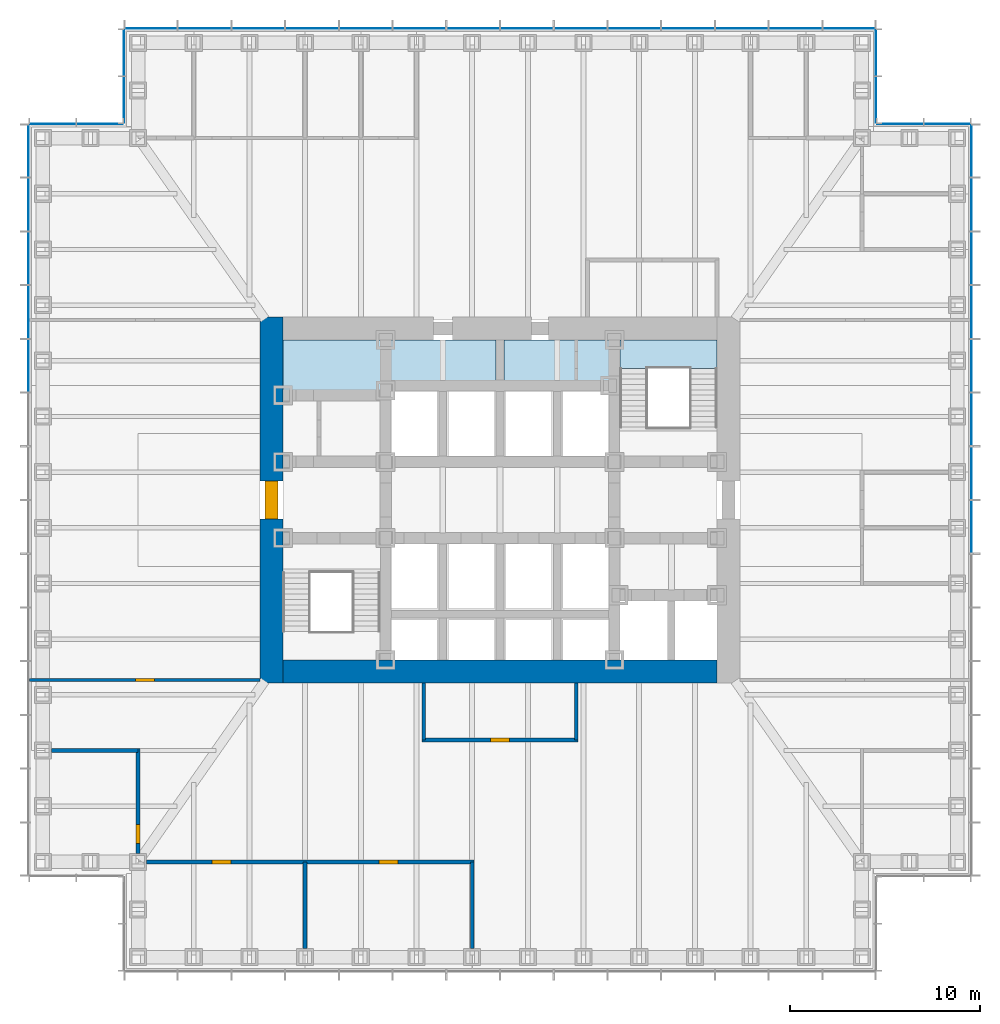
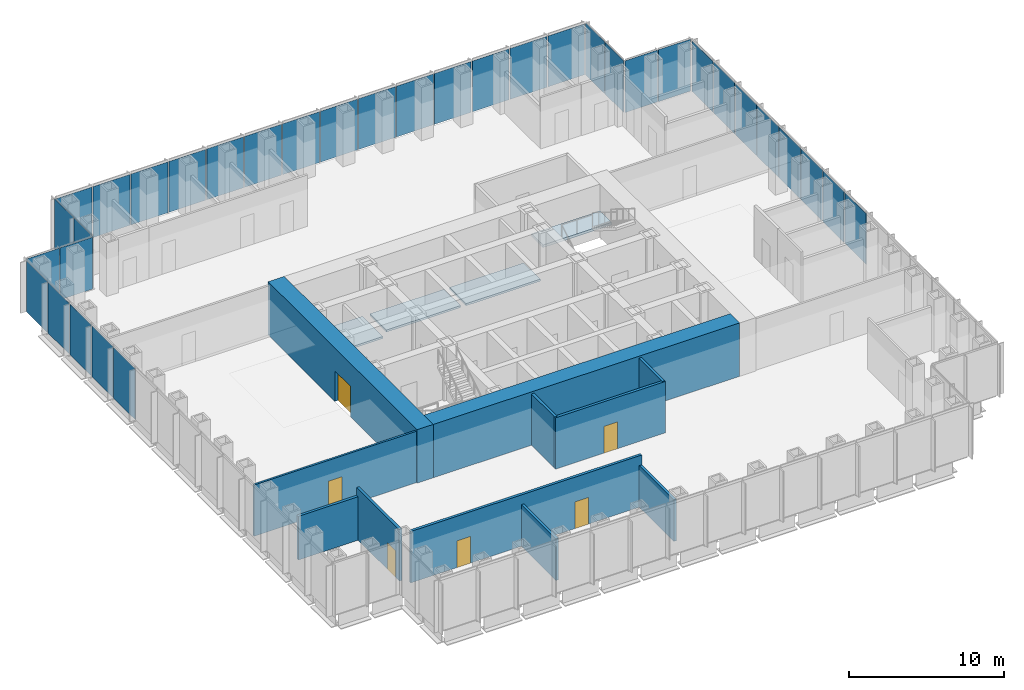
# One storey, part 8 of 17: 35 plates, 11 walls, 6 doors, 4 slabs, 6 openings, 8 elements without a shape of their own.
"""IFC4 building model written with IfcOpenShell, lengths in metres."""

import ifcopenshell
import ifcopenshell.guid

model = None  # the IFC model being written
_history = None  # IfcOwnerHistory: only IFC2X3 demands one
_inside = {}  # id of a spatial element -> (the spatial element, [elements in it])
_under = {}  # id of a project, library or spatial element -> (it, [spatial elements below it])
_declared = {}  # id of a project -> (the project, [libraries it declares])
_typed = {}  # id of a type object -> (the type object, [elements of that type])
_made_of = {}  # id of a material, layer set ... -> (it, [elements and type objects made of it])


def new_model(schema):
    """Start an empty IFC model of exactly this schema.

    Asked for "IFC4X3", IfcOpenShell would pick the latest addendum, in which some entities
    have other attributes; the version numbers below select the first issue.
    IFC2X3 requires an IfcOwnerHistory on every rooted entity: one is made here for all.
    """
    global model, _history
    if schema == "IFC4X3":
        model = ifcopenshell.file(schema_version=(4, 3, 0, 0))
    else:
        model = ifcopenshell.file(schema=schema)
    _inside.clear()
    _under.clear()
    _declared.clear()
    _typed.clear()
    _made_of.clear()
    _history = None
    if model.schema == "IFC2X3":
        org = make("IfcOrganization", Name="unknown")
        user = make(
            "IfcPersonAndOrganization",
            ThePerson=make("IfcPerson", FamilyName="unknown"),
            TheOrganization=org,
        )
        app = make(
            "IfcApplication",
            ApplicationDeveloper=org,
            Version="unknown",
            ApplicationFullName="unknown",
            ApplicationIdentifier="unknown",
        )
        _history = make(
            "IfcOwnerHistory",
            OwningUser=user,
            OwningApplication=app,
            ChangeAction="ADDED",
            CreationDate=0,
        )
    return model


def make(cls, **values):
    """One entity of the class cls with the attributes given. An attribute that is None is left unset."""
    return model.create_entity(
        cls, **{name: value for name, value in values.items() if value is not None}
    )


def rooted(cls, **values):
    """An entity with a GlobalId (a new one), such as an element, a storey or a relation."""
    return make(cls, GlobalId=ifcopenshell.guid.new(), OwnerHistory=_history, **values)


def si_unit(unit_type, name, prefix=None):
    """IfcSIUnit, for example si_unit("LENGTHUNIT", "METRE", prefix="MILLI")."""
    return make("IfcSIUnit", UnitType=unit_type, Prefix=prefix, Name=name)


def assignment(units):
    """IfcUnitAssignment: the units of a project."""
    return None if units is None else make("IfcUnitAssignment", Units=units)


def point(xyz):
    """IfcCartesianPoint."""
    return None if xyz is None else make("IfcCartesianPoint", Coordinates=xyz)


def direction(xyz):
    """IfcDirection."""
    return None if xyz is None else make("IfcDirection", DirectionRatios=xyz)


def frame(location, z_axis=None, x_axis=None):
    """IfcAxis2Placement3D, a coordinate frame: its origin and axes. An axis left out is left unset."""
    return make(
        "IfcAxis2Placement3D",
        Location=point(location),
        Axis=direction(z_axis),
        RefDirection=direction(x_axis),
    )


def frame_2d(location, x_axis=None):
    """IfcAxis2Placement2D, a coordinate frame in the plane: its origin and x axis."""
    return make(
        "IfcAxis2Placement2D", Location=point(location), RefDirection=direction(x_axis)
    )


def origin():
    """The frame at (0, 0, 0) with its axes left unset."""
    return frame((0.0, 0.0, 0.0))


def origin_2d():
    """The frame at (0, 0) in the plane with its x axis left unset."""
    return frame_2d((0.0, 0.0))


def place(relative_to, where):
    """IfcLocalPlacement: puts the frame where relative to a parent placement (None: the world)."""
    return make(
        "IfcLocalPlacement", PlacementRelTo=relative_to, RelativePlacement=where
    )


def context(
    kind, dimensions, precision=None, world=None, true_north=None, identifier=None
):
    """IfcGeometricRepresentationContext, for example the 3D "Model" context."""
    return make(
        "IfcGeometricRepresentationContext",
        ContextIdentifier=identifier,
        ContextType=kind,
        CoordinateSpaceDimension=dimensions,
        Precision=precision,
        WorldCoordinateSystem=world,
        TrueNorth=true_north,
    )


def subcontext(parent, identifier, kind, view, scale=None):
    """IfcGeometricRepresentationSubContext, for example "Body" below "Model"."""
    return make(
        "IfcGeometricRepresentationSubContext",
        ContextIdentifier=identifier,
        ContextType=kind,
        ParentContext=parent,
        TargetScale=scale,
        TargetView=view,
    )


def project(units=None, contexts=None):
    """IfcProject with its units and contexts."""
    return rooted(
        "IfcProject",
        Name="project",
        RepresentationContexts=contexts,
        UnitsInContext=assignment(units),
    )


def spatial(cls, under=None, at=None, **own):
    """A site, building, storey or space (cls), placed at a placement, below another one or the project."""
    s = rooted(cls, ObjectPlacement=at, **own)
    if under is not None:
        _under.setdefault(under.id(), (under, []))[1].append(s)
    return s


def polyline(points):
    """IfcPolyline through the points."""
    return make("IfcPolyline", Points=[point(p) for p in points])


def profile(cls, at=None, kind="AREA", **sizes):
    """A parametric profile (cls). Its sizes go by their IFC names, for example OverallWidth=200.0."""
    return make(cls, ProfileType=kind, Position=at, **sizes)


def rectangle(**sizes):
    """IfcRectangleProfileDef."""
    return profile("IfcRectangleProfileDef", **sizes)


def outline(outer, holes=None, kind="AREA"):
    """IfcArbitraryClosedProfileDef: a profile drawn as a closed curve; with holes, ...WithVoids."""
    if holes is None:
        return make("IfcArbitraryClosedProfileDef", ProfileType=kind, OuterCurve=outer)
    return make(
        "IfcArbitraryProfileDefWithVoids",
        ProfileType=kind,
        OuterCurve=outer,
        InnerCurves=holes,
    )


def extrude(swept, where, along, depth):
    """IfcExtrudedAreaSolid: the profile swept, set in the frame where, extruded along a direction by depth."""
    return make(
        "IfcExtrudedAreaSolid",
        SweptArea=swept,
        Position=where,
        ExtrudedDirection=direction(along),
        Depth=depth,
    )


def shape(context_of_items, identifier, shape_type, items):
    """IfcShapeRepresentation: the items that make up one representation, for example the "Body"."""
    return make(
        "IfcShapeRepresentation",
        ContextOfItems=context_of_items,
        RepresentationIdentifier=identifier,
        RepresentationType=shape_type,
        Items=items,
    )


def material(Name=None, Category=None):
    """IfcMaterial."""
    return make("IfcMaterial", Name=Name, Category=Category)


def layer(
    of_material, thickness, ventilated=None, Name=None, Category=None, Priority=None
):
    """IfcMaterialLayer: one layer of a wall or slab, of a material (None: an air gap)."""
    return make(
        "IfcMaterialLayer",
        Material=of_material,
        LayerThickness=thickness,
        IsVentilated=ventilated,
        Name=Name,
        Category=Category,
        Priority=Priority,
    )


def layer_set(layers, Name=None):
    """IfcMaterialLayerSet."""
    return make("IfcMaterialLayerSet", MaterialLayers=layers, LayerSetName=Name)


def made_of(thing, what):
    """Note that an element or type object is made of a material, layer set ...; save() writes the relation."""
    if what is not None:
        _made_of.setdefault(what.id(), (what, []))[1].append(thing)
    return thing


def type_object(cls, material=None, **own):
    """A type object (cls), such as IfcWallType, which elements share."""
    return made_of(rooted(cls, **own), material)


def element(
    cls,
    number,
    at=None,
    inside=None,
    cuts=None,
    type_object=None,
    material=None,
    context=None,
    identifier="Body",
    shape_type=None,
    held_by="IfcProductDefinitionShape",
    body=None,
    shapes=None,
    **own,
):
    """One element of the class cls, such as IfcWall. Its Tag is "e" and its number.

    at: its placement. inside: the storey or other place that contains it. cuts: it is an
    opening in that element (IfcRelVoidsElement). A single representation is given by context,
    identifier, shape_type and body (its items); several are given by shapes. held_by: the class
    of the entity that holds the representations. save() writes the other relations.
    """
    e = rooted(cls, Tag="e%d" % number, ObjectPlacement=at, **own)
    if body is not None:
        shapes = [shape(context, identifier, shape_type, body)]
    if shapes is not None:
        e.Representation = make(held_by, Representations=shapes)
    if inside is not None:
        _inside.setdefault(inside.id(), (inside, []))[1].append(e)
    if cuts is not None:
        rooted(
            "IfcRelVoidsElement", RelatingBuildingElement=cuts, RelatedOpeningElement=e
        )
    if type_object is not None:
        _typed.setdefault(type_object.id(), (type_object, []))[1].append(e)
    return made_of(e, material)


def fill(opening, filler):
    """IfcRelFillsElement: the door or window that sits in an opening."""
    return rooted(
        "IfcRelFillsElement",
        RelatingOpeningElement=opening,
        RelatedBuildingElement=filler,
    )


def aggregate(whole, parts):
    """IfcRelAggregates: a whole, such as a stair, and the parts it consists of."""
    return rooted("IfcRelAggregates", RelatingObject=whole, RelatedObjects=parts)


def save(model, path):
    """Write the relations noted so far, then the file.

    IfcRelAggregates (storeys below a building ...), IfcRelContainedInSpatialStructure (elements
    in a storey), IfcRelDefinesByType, IfcRelAssociatesMaterial and IfcRelDeclares: one each for
    every whole, place, type object, material and project.
    """
    for whole, parts in _under.values():
        aggregate(whole, parts)
    for where, things in _inside.values():
        rooted(
            "IfcRelContainedInSpatialStructure",
            RelatedElements=things,
            RelatingStructure=where,
        )
    for kind, things in _typed.values():
        rooted("IfcRelDefinesByType", RelatedObjects=things, RelatingType=kind)
    for what, things in _made_of.values():
        rooted("IfcRelAssociatesMaterial", RelatedObjects=things, RelatingMaterial=what)
    for by, libraries in _declared.values():
        rooted("IfcRelDeclares", RelatingContext=by, RelatedDefinitions=libraries)
    model.write(path)


model = new_model("IFC4")

# Units and contexts
model_context = context("Model", 3, precision=1e-05, world=origin(), true_north=direction((0.0, 1.0)))
body_context = subcontext(model_context, "Body", "Model", "MODEL_VIEW")
ifc_project = project(units=[si_unit("LENGTHUNIT", "METRE"), si_unit("AREAUNIT", "SQUARE_METRE"), si_unit("VOLUMEUNIT", "CUBIC_METRE"), si_unit("PLANEANGLEUNIT", "RADIAN"), si_unit("MASSUNIT", "GRAM", prefix="KILO")], contexts=[model_context])

# Site, building, storey
site_placement = place(None, origin())
site = spatial("IfcSite", under=ifc_project, at=site_placement, CompositionType="ELEMENT")
building_placement = place(site_placement, origin())
building = spatial("IfcBuilding", under=site, at=building_placement, Name="Daluyong Arena Tower", CompositionType="ELEMENT")
storey_placement = place(building_placement, frame((0.0, 0.0, 60.10009765625)))
storey = spatial("IfcBuildingStorey", under=building, at=storey_placement, Name="L12", CompositionType="ELEMENT", Elevation=60.10009765625)

# Curtain wall, plates
ifc_material_1 = material(Name="Bronze anodised aluminium and glass", Category="aluminium")
curtain_wall_type_1 = type_object("IfcCurtainWallType", Name="Curtain wall CW1", PredefinedType="USERDEFINED", material=ifc_material_1)
curtain_wall_1_placement = place(storey_placement, origin())
curtain_wall_1 = element("IfcCurtainWall", 1, at=curtain_wall_1_placement, inside=storey, type_object=curtain_wall_type_1, Name="curtain wall L12 E", ObjectType="UNITISED CURTAIN WALL", PredefinedType="USERDEFINED")
ifc_material_2 = material(Name="Tinted double glazed unit", Category="glass")
ifc_layer_1 = layer(ifc_material_2, 0.031982421875)
ifc_layer_set_1 = layer_set([ifc_layer_1], Name="Tinted double glazed unit")
plate_type_1 = type_object("IfcPlateType", Name="CW1 panel 32", PredefinedType="CURTAIN_PANEL", material=ifc_layer_set_1)
plate_1_placement = place(storey_placement, frame((80.75, 78.58935546875, 0.0), z_axis=(0.0, 0.0, 1.0), x_axis=(0.0, 1.0, 0.0)))
plate_1 = element("IfcPlate", 2, at=plate_1_placement, type_object=plate_type_1, Name="curtain wall L12 E panel 7", PredefinedType="CURTAIN_PANEL", context=body_context, shape_type="SweptSolid", body=[
    extrude(rectangle(XDim=2.741455078125, YDim=0.031982421875, at=origin_2d()), origin(), (0.0, 0.0, 1.0), 4.0),
])
plate_2_placement = place(storey_placement, frame((80.75, 81.41064453125, 0.0), z_axis=(0.0, 0.0, 1.0), x_axis=(0.0, 1.0, 0.0)))
plate_2 = element("IfcPlate", 3, at=plate_2_placement, type_object=plate_type_1, Name="curtain wall L12 E panel 8", PredefinedType="CURTAIN_PANEL", context=body_context, shape_type="SweptSolid", body=[
    extrude(rectangle(XDim=2.741455078125, YDim=0.031982421875, at=origin_2d()), origin(), (0.0, 0.0, 1.0), 4.0),
])
plate_3_placement = place(storey_placement, frame((80.75, 84.232177734375, 0.0), z_axis=(0.0, 0.0, 1.0), x_axis=(0.0, 1.0, 0.0)))
plate_3 = element("IfcPlate", 4, at=plate_3_placement, type_object=plate_type_1, Name="curtain wall L12 E panel 9", PredefinedType="CURTAIN_PANEL", context=body_context, shape_type="SweptSolid", body=[
    extrude(rectangle(XDim=2.741455078125, YDim=0.031982421875, at=origin_2d()), origin(), (0.0, 0.0, 1.0), 4.0),
])
plate_4_placement = place(storey_placement, frame((80.75, 87.053466796875, 0.0), z_axis=(0.0, 0.0, 1.0), x_axis=(0.0, 1.0, 0.0)))
plate_4 = element("IfcPlate", 5, at=plate_4_placement, type_object=plate_type_1, Name="curtain wall L12 E panel 10", PredefinedType="CURTAIN_PANEL", context=body_context, shape_type="SweptSolid", body=[
    extrude(rectangle(XDim=2.741455078125, YDim=0.031982421875, at=origin_2d()), origin(), (0.0, 0.0, 1.0), 4.0),
])
plate_5_placement = place(storey_placement, frame((80.75, 89.875, 0.0), z_axis=(0.0, 0.0, 1.0), x_axis=(0.0, 1.0, 0.0)))
plate_5 = element("IfcPlate", 6, at=plate_5_placement, type_object=plate_type_1, Name="curtain wall L12 E panel 11", PredefinedType="CURTAIN_PANEL", context=body_context, shape_type="SweptSolid", body=[
    extrude(rectangle(XDim=2.741455078125, YDim=0.031982421875, at=origin_2d()), origin(), (0.0, 0.0, 1.0), 4.0),
])
plate_6_placement = place(storey_placement, frame((80.75, 92.696533203125, 0.0), z_axis=(0.0, 0.0, 1.0), x_axis=(0.0, 1.0, 0.0)))
plate_6 = element("IfcPlate", 7, at=plate_6_placement, type_object=plate_type_1, Name="curtain wall L12 E panel 12", PredefinedType="CURTAIN_PANEL", context=body_context, shape_type="SweptSolid", body=[
    extrude(rectangle(XDim=2.741455078125, YDim=0.031982421875, at=origin_2d()), origin(), (0.0, 0.0, 1.0), 4.0),
])
plate_7_placement = place(storey_placement, frame((80.75, 95.517822265625, 0.0), z_axis=(0.0, 0.0, 1.0), x_axis=(0.0, 1.0, 0.0)))
plate_7 = element("IfcPlate", 8, at=plate_7_placement, type_object=plate_type_1, Name="curtain wall L12 E panel 13", PredefinedType="CURTAIN_PANEL", context=body_context, shape_type="SweptSolid", body=[
    extrude(rectangle(XDim=2.741455078125, YDim=0.031982421875, at=origin_2d()), origin(), (0.0, 0.0, 1.0), 4.0),
])
plate_8_placement = place(storey_placement, frame((80.75, 98.3193359375, 0.0), z_axis=(0.0, 0.0, 1.0), x_axis=(0.0, 1.0, 0.0)))
plate_8 = element("IfcPlate", 9, at=plate_8_placement, type_object=plate_type_1, Name="curtain wall L12 E panel 14", PredefinedType="CURTAIN_PANEL", context=body_context, shape_type="SweptSolid", body=[
    extrude(rectangle(XDim=2.701416015625, YDim=0.031982421875, at=origin_2d()), origin(), (0.0, 0.0, 1.0), 4.0),
])
aggregate(curtain_wall_1, [plate_1, plate_2, plate_3, plate_4, plate_5, plate_6, plate_7, plate_8])

curtain_wall_2_placement = place(storey_placement, origin())
curtain_wall_2 = element("IfcCurtainWall", 10, at=curtain_wall_2_placement, inside=storey, type_object=curtain_wall_type_1, Name="curtain wall L12 N", ObjectType="UNITISED CURTAIN WALL", PredefinedType="USERDEFINED")
plate_9_placement = place(storey_placement, frame((74.3193359375, 104.75, 0.0), z_axis=(0.0, 0.0, 1.0), x_axis=(-1.0, 0.0, 0.0)))
plate_9 = element("IfcPlate", 11, at=plate_9_placement, type_object=plate_type_1, Name="curtain wall L12 N panel 1", PredefinedType="CURTAIN_PANEL", context=body_context, shape_type="SweptSolid", body=[
    extrude(rectangle(XDim=2.701416015625, YDim=0.031982421875, at=origin_2d()), origin(), (0.0, 0.0, 1.0), 4.0),
])
plate_10_placement = place(storey_placement, frame((71.517822265625, 104.75, 0.0), z_axis=(0.0, 0.0, 1.0), x_axis=(-1.0, 0.0, 0.0)))
plate_10 = element("IfcPlate", 12, at=plate_10_placement, type_object=plate_type_1, Name="curtain wall L12 N panel 2", PredefinedType="CURTAIN_PANEL", context=body_context, shape_type="SweptSolid", body=[
    extrude(rectangle(XDim=2.741455078125, YDim=0.031982421875, at=origin_2d()), origin(), (0.0, 0.0, 1.0), 4.0),
])
plate_11_placement = place(storey_placement, frame((68.696533203125, 104.75, 0.0), z_axis=(0.0, 0.0, 1.0), x_axis=(-1.0, 0.0, 0.0)))
plate_11 = element("IfcPlate", 13, at=plate_11_placement, type_object=plate_type_1, Name="curtain wall L12 N panel 3", PredefinedType="CURTAIN_PANEL", context=body_context, shape_type="SweptSolid", body=[
    extrude(rectangle(XDim=2.741455078125, YDim=0.031982421875, at=origin_2d()), origin(), (0.0, 0.0, 1.0), 4.0),
])
plate_12_placement = place(storey_placement, frame((65.875, 104.75, 0.0), z_axis=(0.0, 0.0, 1.0), x_axis=(-1.0, 0.0, 0.0)))
plate_12 = element("IfcPlate", 14, at=plate_12_placement, type_object=plate_type_1, Name="curtain wall L12 N panel 4", PredefinedType="CURTAIN_PANEL", context=body_context, shape_type="SweptSolid", body=[
    extrude(rectangle(XDim=2.741455078125, YDim=0.031982421875, at=origin_2d()), origin(), (0.0, 0.0, 1.0), 4.0),
])
plate_13_placement = place(storey_placement, frame((63.053466796875, 104.75, 0.0), z_axis=(0.0, 0.0, 1.0), x_axis=(-1.0, 0.0, 0.0)))
plate_13 = element("IfcPlate", 15, at=plate_13_placement, type_object=plate_type_1, Name="curtain wall L12 N panel 5", PredefinedType="CURTAIN_PANEL", context=body_context, shape_type="SweptSolid", body=[
    extrude(rectangle(XDim=2.741455078125, YDim=0.031982421875, at=origin_2d()), origin(), (0.0, 0.0, 1.0), 4.0),
])
plate_14_placement = place(storey_placement, frame((60.232177734375, 104.75, 0.0), z_axis=(0.0, 0.0, 1.0), x_axis=(-1.0, 0.0, 0.0)))
plate_14 = element("IfcPlate", 16, at=plate_14_placement, type_object=plate_type_1, Name="curtain wall L12 N panel 6", PredefinedType="CURTAIN_PANEL", context=body_context, shape_type="SweptSolid", body=[
    extrude(rectangle(XDim=2.741455078125, YDim=0.031982421875, at=origin_2d()), origin(), (0.0, 0.0, 1.0), 4.0),
])
plate_15_placement = place(storey_placement, frame((57.41064453125, 104.75, 0.0), z_axis=(0.0, 0.0, 1.0), x_axis=(-1.0, 0.0, 0.0)))
plate_15 = element("IfcPlate", 17, at=plate_15_placement, type_object=plate_type_1, Name="curtain wall L12 N panel 7", PredefinedType="CURTAIN_PANEL", context=body_context, shape_type="SweptSolid", body=[
    extrude(rectangle(XDim=2.741455078125, YDim=0.031982421875, at=origin_2d()), origin(), (0.0, 0.0, 1.0), 4.0),
])
plate_16_placement = place(storey_placement, frame((54.58935546875, 104.75, 0.0), z_axis=(0.0, 0.0, 1.0), x_axis=(-1.0, 0.0, 0.0)))
plate_16 = element("IfcPlate", 18, at=plate_16_placement, type_object=plate_type_1, Name="curtain wall L12 N panel 8", PredefinedType="CURTAIN_PANEL", context=body_context, shape_type="SweptSolid", body=[
    extrude(rectangle(XDim=2.741455078125, YDim=0.031982421875, at=origin_2d()), origin(), (0.0, 0.0, 1.0), 4.0),
])
plate_17_placement = place(storey_placement, frame((51.767822265625, 104.75, 0.0), z_axis=(0.0, 0.0, 1.0), x_axis=(-1.0, 0.0, 0.0)))
plate_17 = element("IfcPlate", 19, at=plate_17_placement, type_object=plate_type_1, Name="curtain wall L12 N panel 9", PredefinedType="CURTAIN_PANEL", context=body_context, shape_type="SweptSolid", body=[
    extrude(rectangle(XDim=2.741455078125, YDim=0.031982421875, at=origin_2d()), origin(), (0.0, 0.0, 1.0), 4.0),
])
plate_18_placement = place(storey_placement, frame((48.946533203125, 104.75, 0.0), z_axis=(0.0, 0.0, 1.0), x_axis=(-1.0, 0.0, 0.0)))
plate_18 = element("IfcPlate", 20, at=plate_18_placement, type_object=plate_type_1, Name="curtain wall L12 N panel 10", PredefinedType="CURTAIN_PANEL", context=body_context, shape_type="SweptSolid", body=[
    extrude(rectangle(XDim=2.741455078125, YDim=0.031982421875, at=origin_2d()), origin(), (0.0, 0.0, 1.0), 4.0),
])
plate_19_placement = place(storey_placement, frame((46.125, 104.75, 0.0), z_axis=(0.0, 0.0, 1.0), x_axis=(-1.0, 0.0, 0.0)))
plate_19 = element("IfcPlate", 21, at=plate_19_placement, type_object=plate_type_1, Name="curtain wall L12 N panel 11", PredefinedType="CURTAIN_PANEL", context=body_context, shape_type="SweptSolid", body=[
    extrude(rectangle(XDim=2.741455078125, YDim=0.031982421875, at=origin_2d()), origin(), (0.0, 0.0, 1.0), 4.0),
])
plate_20_placement = place(storey_placement, frame((43.303466796875, 104.75, 0.0), z_axis=(0.0, 0.0, 1.0), x_axis=(-1.0, 0.0, 0.0)))
plate_20 = element("IfcPlate", 22, at=plate_20_placement, type_object=plate_type_1, Name="curtain wall L12 N panel 12", PredefinedType="CURTAIN_PANEL", context=body_context, shape_type="SweptSolid", body=[
    extrude(rectangle(XDim=2.741455078125, YDim=0.031982421875, at=origin_2d()), origin(), (0.0, 0.0, 1.0), 4.0),
])
plate_21_placement = place(storey_placement, frame((40.482177734375, 104.75, 0.0), z_axis=(0.0, 0.0, 1.0), x_axis=(-1.0, 0.0, 0.0)))
plate_21 = element("IfcPlate", 23, at=plate_21_placement, type_object=plate_type_1, Name="curtain wall L12 N panel 13", PredefinedType="CURTAIN_PANEL", context=body_context, shape_type="SweptSolid", body=[
    extrude(rectangle(XDim=2.741455078125, YDim=0.031982421875, at=origin_2d()), origin(), (0.0, 0.0, 1.0), 4.0),
])
plate_22_placement = place(storey_placement, frame((37.6806640625, 104.75, 0.0), z_axis=(0.0, 0.0, 1.0), x_axis=(-1.0, 0.0, 0.0)))
plate_22 = element("IfcPlate", 24, at=plate_22_placement, type_object=plate_type_1, Name="curtain wall L12 N panel 14", PredefinedType="CURTAIN_PANEL", context=body_context, shape_type="SweptSolid", body=[
    extrude(rectangle(XDim=2.701416015625, YDim=0.031982421875, at=origin_2d()), origin(), (0.0, 0.0, 1.0), 4.0),
])
aggregate(curtain_wall_2, [plate_9, plate_10, plate_11, plate_12, plate_13, plate_14, plate_15, plate_16, plate_17, plate_18, plate_19, plate_20, plate_21, plate_22])

curtain_wall_3_placement = place(storey_placement, origin())
curtain_wall_3 = element("IfcCurtainWall", 25, at=curtain_wall_3_placement, inside=storey, type_object=curtain_wall_type_1, Name="curtain wall L12 W", ObjectType="UNITISED CURTAIN WALL", PredefinedType="USERDEFINED")
plate_23_placement = place(storey_placement, frame((31.25, 98.3193359375, 0.0), z_axis=(0.0, 0.0, 1.0), x_axis=(0.0, -1.0, 0.0)))
plate_23 = element("IfcPlate", 26, at=plate_23_placement, type_object=plate_type_1, Name="curtain wall L12 W panel 1", PredefinedType="CURTAIN_PANEL", context=body_context, shape_type="SweptSolid", body=[
    extrude(rectangle(XDim=2.701416015625, YDim=0.031982421875, at=origin_2d()), origin(), (0.0, 0.0, 1.0), 4.0),
])
plate_24_placement = place(storey_placement, frame((31.25, 95.517822265625, 0.0), z_axis=(0.0, 0.0, 1.0), x_axis=(0.0, -1.0, 0.0)))
plate_24 = element("IfcPlate", 27, at=plate_24_placement, type_object=plate_type_1, Name="curtain wall L12 W panel 2", PredefinedType="CURTAIN_PANEL", context=body_context, shape_type="SweptSolid", body=[
    extrude(rectangle(XDim=2.741455078125, YDim=0.031982421875, at=origin_2d()), origin(), (0.0, 0.0, 1.0), 4.0),
])
plate_25_placement = place(storey_placement, frame((31.25, 92.696533203125, 0.0), z_axis=(0.0, 0.0, 1.0), x_axis=(0.0, -1.0, 0.0)))
plate_25 = element("IfcPlate", 28, at=plate_25_placement, type_object=plate_type_1, Name="curtain wall L12 W panel 3", PredefinedType="CURTAIN_PANEL", context=body_context, shape_type="SweptSolid", body=[
    extrude(rectangle(XDim=2.741455078125, YDim=0.031982421875, at=origin_2d()), origin(), (0.0, 0.0, 1.0), 4.0),
])
plate_26_placement = place(storey_placement, frame((31.25, 89.875, 0.0), z_axis=(0.0, 0.0, 1.0), x_axis=(0.0, -1.0, 0.0)))
plate_26 = element("IfcPlate", 29, at=plate_26_placement, type_object=plate_type_1, Name="curtain wall L12 W panel 4", PredefinedType="CURTAIN_PANEL", context=body_context, shape_type="SweptSolid", body=[
    extrude(rectangle(XDim=2.741455078125, YDim=0.031982421875, at=origin_2d()), origin(), (0.0, 0.0, 1.0), 4.0),
])
plate_27_placement = place(storey_placement, frame((31.25, 87.053466796875, 0.0), z_axis=(0.0, 0.0, 1.0), x_axis=(0.0, -1.0, 0.0)))
plate_27 = element("IfcPlate", 30, at=plate_27_placement, type_object=plate_type_1, Name="curtain wall L12 W panel 5", PredefinedType="CURTAIN_PANEL", context=body_context, shape_type="SweptSolid", body=[
    extrude(rectangle(XDim=2.741455078125, YDim=0.031982421875, at=origin_2d()), origin(), (0.0, 0.0, 1.0), 4.0),
])
aggregate(curtain_wall_3, [plate_23, plate_24, plate_25, plate_26, plate_27])

ifc_material_3 = material(Name="Bronze anodised aluminium and glass", Category="aluminium")
curtain_wall_type_2 = type_object("IfcCurtainWallType", Name="Curtain wall CW7", PredefinedType="USERDEFINED", material=ifc_material_3)
curtain_wall_4_placement = place(storey_placement, origin())
curtain_wall_4 = element("IfcCurtainWall", 31, at=curtain_wall_4_placement, inside=storey, type_object=curtain_wall_type_2, Name="curtain wall L12 NE-N", ObjectType="UNITISED CURTAIN WALL", PredefinedType="USERDEFINED")
ifc_material_4 = material(Name="Tinted double glazed unit", Category="glass")
ifc_layer_2 = layer(ifc_material_4, 0.028076171875)
ifc_layer_set_2 = layer_set([ifc_layer_2], Name="Tinted double glazed unit")
plate_type_2 = type_object("IfcPlateType", Name="CW7 panel 28", PredefinedType="CURTAIN_PANEL", material=ifc_layer_set_2)
plate_28_placement = place(storey_placement, frame((79.485107421875, 99.75, -0.000244140625), z_axis=(0.0, 0.0, 1.0), x_axis=(-1.0, 0.0, 0.0)))
plate_28 = element("IfcPlate", 32, at=plate_28_placement, type_object=plate_type_2, Name="curtain wall L12 NE-N panel 1", PredefinedType="CURTAIN_PANEL", context=body_context, shape_type="SweptSolid", body=[
    extrude(rectangle(XDim=2.409912109375, YDim=0.028076171875, at=origin_2d()), origin(), (0.0, 0.0, 1.0), 4.080078125),
])
plate_29_placement = place(storey_placement, frame((77.014892578125, 99.75, -0.000244140625), z_axis=(0.0, 0.0, 1.0), x_axis=(-1.0, 0.0, 0.0)))
plate_29 = element("IfcPlate", 33, at=plate_29_placement, type_object=plate_type_2, Name="curtain wall L12 NE-N panel 2", PredefinedType="CURTAIN_PANEL", context=body_context, shape_type="SweptSolid", body=[
    extrude(rectangle(XDim=2.409912109375, YDim=0.028076171875, at=origin_2d()), origin(), (0.0, 0.0, 1.0), 4.080078125),
])
aggregate(curtain_wall_4, [plate_28, plate_29])

curtain_wall_5_placement = place(storey_placement, origin())
curtain_wall_5 = element("IfcCurtainWall", 34, at=curtain_wall_5_placement, inside=storey, type_object=curtain_wall_type_2, Name="curtain wall L12 NE-E", ObjectType="UNITISED CURTAIN WALL", PredefinedType="USERDEFINED")
plate_30_placement = place(storey_placement, frame((75.75, 101.014892578125, -0.000244140625), z_axis=(0.0, 0.0, 1.0), x_axis=(0.0, 1.0, 0.0)))
plate_30 = element("IfcPlate", 35, at=plate_30_placement, type_object=plate_type_2, Name="curtain wall L12 NE-E panel 1", PredefinedType="CURTAIN_PANEL", context=body_context, shape_type="SweptSolid", body=[
    extrude(rectangle(XDim=2.409912109375, YDim=0.028076171875, at=origin_2d()), origin(), (0.0, 0.0, 1.0), 4.080078125),
])
plate_31_placement = place(storey_placement, frame((75.75, 103.485107421875, -0.000244140625), z_axis=(0.0, 0.0, 1.0), x_axis=(0.0, 1.0, 0.0)))
plate_31 = element("IfcPlate", 36, at=plate_31_placement, type_object=plate_type_2, Name="curtain wall L12 NE-E panel 2", PredefinedType="CURTAIN_PANEL", context=body_context, shape_type="SweptSolid", body=[
    extrude(rectangle(XDim=2.409912109375, YDim=0.028076171875, at=origin_2d()), origin(), (0.0, 0.0, 1.0), 4.080078125),
])
aggregate(curtain_wall_5, [plate_30, plate_31])

curtain_wall_6_placement = place(storey_placement, origin())
curtain_wall_6 = element("IfcCurtainWall", 37, at=curtain_wall_6_placement, inside=storey, type_object=curtain_wall_type_2, Name="curtain wall L12 NW-W", ObjectType="UNITISED CURTAIN WALL", PredefinedType="USERDEFINED")
plate_32_placement = place(storey_placement, frame((36.25, 103.485107421875, -0.000244140625), z_axis=(0.0, 0.0, 1.0), x_axis=(0.0, -1.0, 0.0)))
plate_32 = element("IfcPlate", 38, at=plate_32_placement, type_object=plate_type_2, Name="curtain wall L12 NW-W panel 1", PredefinedType="CURTAIN_PANEL", context=body_context, shape_type="SweptSolid", body=[
    extrude(rectangle(XDim=2.409912109375, YDim=0.028076171875, at=origin_2d()), origin(), (0.0, 0.0, 1.0), 4.080078125),
])
plate_33_placement = place(storey_placement, frame((36.25, 101.014892578125, -0.000244140625), z_axis=(0.0, 0.0, 1.0), x_axis=(0.0, -1.0, 0.0)))
plate_33 = element("IfcPlate", 39, at=plate_33_placement, type_object=plate_type_2, Name="curtain wall L12 NW-W panel 2", PredefinedType="CURTAIN_PANEL", context=body_context, shape_type="SweptSolid", body=[
    extrude(rectangle(XDim=2.409912109375, YDim=0.028076171875, at=origin_2d()), origin(), (0.0, 0.0, 1.0), 4.080078125),
])
aggregate(curtain_wall_6, [plate_32, plate_33])

curtain_wall_7_placement = place(storey_placement, origin())
curtain_wall_7 = element("IfcCurtainWall", 40, at=curtain_wall_7_placement, inside=storey, type_object=curtain_wall_type_2, Name="curtain wall L12 NW-N", ObjectType="UNITISED CURTAIN WALL", PredefinedType="USERDEFINED")
plate_34_placement = place(storey_placement, frame((34.985107421875, 99.75, -0.000244140625), z_axis=(0.0, 0.0, 1.0), x_axis=(-1.0, 0.0, 0.0)))
plate_34 = element("IfcPlate", 41, at=plate_34_placement, type_object=plate_type_2, Name="curtain wall L12 NW-N panel 1", PredefinedType="CURTAIN_PANEL", context=body_context, shape_type="SweptSolid", body=[
    extrude(rectangle(XDim=2.409912109375, YDim=0.028076171875, at=origin_2d()), origin(), (0.0, 0.0, 1.0), 4.080078125),
])
plate_35_placement = place(storey_placement, frame((32.514892578125, 99.75, -0.000244140625), z_axis=(0.0, 0.0, 1.0), x_axis=(-1.0, 0.0, 0.0)))
plate_35 = element("IfcPlate", 42, at=plate_35_placement, type_object=plate_type_2, Name="curtain wall L12 NW-N panel 2", PredefinedType="CURTAIN_PANEL", context=body_context, shape_type="SweptSolid", body=[
    extrude(rectangle(XDim=2.409912109375, YDim=0.028076171875, at=origin_2d()), origin(), (0.0, 0.0, 1.0), 4.080078125),
])
aggregate(curtain_wall_7, [plate_34, plate_35])

# Stair, slab
ifc_material_5 = material(Name="Concrete fc' 35 MPa", Category="concrete")
stair_type = type_object("IfcStairType", Name="Core exit stair", PredefinedType="HALF_TURN_STAIR", material=ifc_material_5)
stair_placement = place(storey_placement, origin())
stair = element("IfcStair", 43, at=stair_placement, inside=storey, type_object=stair_type, Name="exit stair B L12", PredefinedType="HALF_TURN_STAIR")
ifc_material_6 = material(Name="Concrete fc' 35 MPa", Category="concrete")
ifc_layer_3 = layer(ifc_material_6, 0.199951171875)
ifc_layer_set_3 = layer_set([ifc_layer_3], Name="Concrete fc' 35 MPa")
slab_type_1 = type_object("IfcSlabType", Name="Stair landing 200", PredefinedType="LANDING", material=ifc_layer_set_3)
slab_1_placement = place(storey_placement, frame((0.0, 0.0, 1.89990234375)))
slab_1 = element("IfcSlab", 44, at=slab_1_placement, type_object=slab_type_1, Name="STB landing 1", PredefinedType="LANDING", context=body_context, shape_type="SweptSolid", body=[
    extrude(outline(polyline([(62.300048828125, 86.905029296875), (67.39990234375, 86.905029296875), (67.39990234375, 88.39990234375), (62.300048828125, 88.39990234375), (62.300048828125, 86.905029296875)])), origin(), (0.0, 0.0, 1.0), 0.199951171875),
])
aggregate(stair, [slab_1])

# Slabs
ifc_material_7 = material(Name="Concrete fc' 35 MPa", Category="concrete")
ifc_layer_4 = layer(ifc_material_7, 0.159912109375)
ifc_layer_set_4 = layer_set([ifc_layer_4], Name="Concrete fc' 35 MPa")
slab_type_2 = type_object("IfcSlabType", Name="Tower floor slab 160", PredefinedType="FLOOR", material=ifc_layer_set_4)
slab_2_placement = place(storey_placement, frame((0.0, 0.0, -0.16015625)))
element("IfcSlab", 45, at=slab_2_placement, inside=storey, type_object=slab_type_2, Name="floor L12 part 4", PredefinedType="FLOOR", context=body_context, shape_type="SweptSolid", body=[
    extrude(outline(polyline([(44.60009765625, 88.39990234375), (44.60009765625, 85.77490234375), (49.72509765625, 85.77490234375), (49.72509765625, 88.39990234375), (44.60009765625, 88.39990234375)])), origin(), (0.0, 0.0, 1.0), 0.16015625),
])
slab_3_placement = place(storey_placement, frame((0.0, 0.0, -0.16015625)))
element("IfcSlab", 46, at=slab_3_placement, inside=storey, type_object=slab_type_2, Name="floor L12 part 8", PredefinedType="FLOOR", context=body_context, shape_type="SweptSolid", body=[
    extrude(outline(polyline([(50.27490234375, 88.39990234375), (50.27490234375, 86.27490234375), (55.800048828125, 86.27490234375), (55.800048828125, 88.39990234375), (50.27490234375, 88.39990234375)])), origin(), (0.0, 0.0, 1.0), 0.16015625),
])
slab_4_placement = place(storey_placement, frame((0.0, 0.0, -0.16015625)))
element("IfcSlab", 47, at=slab_4_placement, inside=storey, type_object=slab_type_2, Name="floor L12 part 17", PredefinedType="FLOOR", context=body_context, shape_type="SweptSolid", body=[
    extrude(outline(polyline([(56.199951171875, 86.27490234375), (61.72509765625, 86.27490234375), (61.72509765625, 88.39990234375), (56.199951171875, 88.39990234375), (56.199951171875, 86.27490234375)])), origin(), (0.0, 0.0, 1.0), 0.16015625),
])

# Wall, opening, door
ifc_material_8 = material(Name="Concrete fc' 60 MPa", Category="concrete")
ifc_layer_5 = layer(ifc_material_8, 1.199951171875)
ifc_layer_set_5 = layer_set([ifc_layer_5], Name="Concrete fc' 60 MPa")
wall_type_1 = type_object("IfcWallType", Name="Core wall 1200", PredefinedType="SHEAR", material=ifc_layer_set_5)
wall_1_placement = place(storey_placement, frame((44.0, 70.39990234375, 0.0), z_axis=(0.0, 0.0, 1.0), x_axis=(0.0, 1.0, 0.0)))
wall_1 = element("IfcWall", 48, at=wall_1_placement, inside=storey, type_object=wall_type_1, Name="core wall at L12", PredefinedType="SHEAR", context=body_context, shape_type="SweptSolid", body=[
    extrude(rectangle(XDim=19.2001953125, YDim=1.199951171875, at=frame_2d((9.60009765625, 0.0))), origin(), (0.0, 0.0, 1.0), 4.199951171875),
])
opening_1_placement = place(wall_1_placement, frame((8.60009765625, 0.0, 0.0)))
opening_1 = element("IfcOpeningElement", 49, at=opening_1_placement, cuts=wall_1, Name="Opening 12009", PredefinedType="OPENING", context=body_context, shape_type="SweptSolid", body=[
    extrude(rectangle(XDim=2.0, YDim=2.39990234375, at=frame_2d((1.0, 1.199951171875))), frame((0.0, 0.60986328125, 0.0), z_axis=(0.0, -1.0, 0.0), x_axis=(1.0, 0.0, 0.0)), (0.0, 0.0, 1.0), 1.219970703125),
])
ifc_material_9 = material(Name="Steel door, fire rated", Category="steel")
door_type_1 = type_object("IfcDoorType", Name="Core lobby double door 2000", OperationType="DOUBLE_DOOR_SINGLE_SWING", PredefinedType="DOOR", material=ifc_material_9)
door_1_placement = place(opening_1_placement, origin())
door_1 = element("IfcDoor", 50, at=door_1_placement, inside=storey, type_object=door_type_1, Name="core lobby door west 12009", OperationType="DOUBLE_DOOR_SINGLE_SWING", OverallHeight=2.39990234375, OverallWidth=2.0, PredefinedType="DOOR", context=body_context, shape_type="SweptSolid", body=[
    extrude(rectangle(XDim=2.0, YDim=2.39990234375, at=frame_2d((1.0, 1.199951171875))), frame((0.0, 0.35009765625, 0.0), z_axis=(0.0, -1.0, 0.0), x_axis=(1.0, 0.0, 0.0)), (0.0, 0.0, 1.0), 0.699951171875),
])
fill(opening_1, door_1)

# Wall
wall_2_placement = place(storey_placement, frame((44.60009765625, 71.0, 0.0), z_axis=(0.0, 0.0, 1.0), x_axis=(1.0, 0.0, 0.0)))
element("IfcWall", 51, at=wall_2_placement, inside=storey, type_object=wall_type_1, Name="core wall at L12", PredefinedType="SHEAR", context=body_context, shape_type="SweptSolid", body=[
    extrude(rectangle(XDim=22.7998046875, YDim=1.199951171875, at=frame_2d((11.39990234375, 0.0))), origin(), (0.0, 0.0, 1.0), 4.199951171875),
])

# Wall, opening, door
ifc_material_10 = material(Name="Glazed aluminium partition", Category="aluminium")
ifc_layer_6 = layer(ifc_material_10, 0.14990234375)
ifc_layer_set_6 = layer_set([ifc_layer_6], Name="Glazed aluminium partition")
wall_type_2 = type_object("IfcWallType", Name="Glazed partition 150", PredefinedType="PARTITIONING", material=ifc_layer_set_6)
wall_3_placement = place(storey_placement, frame((31.31005859375, 70.550048828125, 0.0), z_axis=(0.0, 0.0, 1.0), x_axis=(1.0, 0.0, 0.0)))
wall_3 = element("IfcWall", 52, at=wall_3_placement, inside=storey, type_object=wall_type_2, Name="glazed partition at L12", PredefinedType="PARTITIONING", context=body_context, shape_type="SweptSolid", body=[
    extrude(rectangle(XDim=12.08984375, YDim=0.14990234375, at=frame_2d((6.044921875, 0.0))), origin(), (0.0, 0.0, 1.0), 4.039794921875),
])
opening_2_placement = place(wall_3_placement, frame((5.544921875, 0.0, 0.0)))
opening_2 = element("IfcOpeningElement", 53, at=opening_2_placement, cuts=wall_3, Name="Opening 12036", PredefinedType="OPENING", context=body_context, shape_type="SweptSolid", body=[
    extrude(rectangle(XDim=1.0, YDim=2.39990234375, at=frame_2d((0.5, 1.199951171875))), frame((0.0, 0.0849609375, 0.0), z_axis=(0.0, -1.0, 0.0), x_axis=(1.0, 0.0, 0.0)), (0.0, 0.0, 1.0), 0.169921875),
])
ifc_material_11 = material(Name="Glazed aluminium door", Category="aluminium")
door_type_2 = type_object("IfcDoorType", Name="Meeting room glazed door 1000", OperationType="SINGLE_SWING_RIGHT", PredefinedType="DOOR", material=ifc_material_11)
door_2_placement = place(opening_2_placement, origin())
door_2 = element("IfcDoor", 54, at=door_2_placement, inside=storey, type_object=door_type_2, Name="team area screen door 12036", OperationType="SINGLE_SWING_RIGHT", OverallHeight=2.39990234375, OverallWidth=1.0, PredefinedType="DOOR", context=body_context, shape_type="SweptSolid", body=[
    extrude(rectangle(XDim=1.0, YDim=2.39990234375, at=frame_2d((0.5, 1.199951171875))), frame((0.0, 0.07470703125, 0.0), z_axis=(0.0, -1.0, 0.0), x_axis=(1.0, 0.0, 0.0)), (0.0, 0.0, 1.0), 0.1494140625),
])
fill(opening_2, door_2)

# Walls
ifc_material_12 = material(Name="Concrete block partition", Category="concrete")
ifc_layer_7 = layer(ifc_material_12, 0.199951171875)
ifc_layer_set_7 = layer_set([ifc_layer_7], Name="Concrete block partition")
wall_type_3 = type_object("IfcWallType", Name="Partition 200", PredefinedType="PARTITIONING", material=ifc_layer_set_7)
for number, where, z_axis, x_axis, name in (
    (55, (45.769287109375, 56.449951171875, 0.0), (0.0, 0.0, 1.0), (0.0, 1.0, 0.0), "partition at L12"),
    (56, (54.53857421875, 56.449951171875, 0.0), (0.0, 0.0, 1.0), (0.0, 1.0, 0.0), "partition at L12"),
):
    element("IfcWall", number, at=place(storey_placement, frame(where, z_axis=z_axis, x_axis=x_axis)), inside=storey, type_object=wall_type_3, Name=name, PredefinedType="PARTITIONING", context=body_context, shape_type="SweptSolid", body=[
        extrude(rectangle(XDim=4.550048828125, YDim=0.199951171875, at=frame_2d((2.27490234375, 0.0))), origin(), (0.0, 0.0, 1.0), 3.27783203125),
    ])
wall_4_placement = place(storey_placement, frame((32.449951171875, 66.84619140625, 0.0), z_axis=(0.0, 0.0, 1.0), x_axis=(1.0, 0.0, 0.0)))
element("IfcWall", 57, at=wall_4_placement, inside=storey, type_object=wall_type_3, Name="partition at L12", PredefinedType="PARTITIONING", context=body_context, shape_type="SweptSolid", body=[
    extrude(rectangle(XDim=4.550048828125, YDim=0.199951171875, at=frame_2d((2.27490234375, 0.0))), origin(), (0.0, 0.0, 1.0), 3.427734375),
])
for number, where, z_axis, x_axis, name in (
    (58, (52.0, 67.39990234375, 0.0), (0.0, 0.0, 1.0), (0.0, 1.0, 0.0), "partition at L12"),
    (59, (60.0, 67.39990234375, 0.0), (0.0, 0.0, 1.0), (0.0, 1.0, 0.0), "partition at L12"),
):
    element("IfcWall", number, at=place(storey_placement, frame(where, z_axis=z_axis, x_axis=x_axis)), inside=storey, type_object=wall_type_3, Name=name, PredefinedType="PARTITIONING", context=body_context, shape_type="SweptSolid", body=[
        extrude(rectangle(XDim=3.0, YDim=0.199951171875, at=frame_2d((1.5, 0.0))), origin(), (0.0, 0.0, 1.0), 4.039794921875),
    ])

# Wall, openings, doors
wall_5_placement = place(storey_placement, frame((37.449951171875, 61.0, 0.0), z_axis=(0.0, 0.0, 1.0), x_axis=(1.0, 0.0, 0.0)))
wall_5 = element("IfcWall", 60, at=wall_5_placement, inside=storey, type_object=wall_type_3, Name="partition at L12", PredefinedType="PARTITIONING", context=body_context, shape_type="SweptSolid", body=[
    extrude(rectangle(XDim=17.1884765625, YDim=0.199951171875, at=frame_2d((8.59423828125, 0.0))), origin(), (0.0, 0.0, 1.0), 4.039794921875),
])
opening_3_placement = place(wall_5_placement, frame((3.4345703125, 0.0, 0.0)))
opening_3 = element("IfcOpeningElement", 61, at=opening_3_placement, cuts=wall_5, Name="Opening 12020", PredefinedType="OPENING", context=body_context, shape_type="SweptSolid", body=[
    extrude(rectangle(XDim=1.0, YDim=2.10009765625, at=frame_2d((0.5, 1.050048828125))), frame((0.0, 0.10986328125, 0.0), z_axis=(0.0, -1.0, 0.0), x_axis=(1.0, 0.0, 0.0)), (0.0, 0.0, 1.0), 0.219970703125),
])
opening_4_placement = place(wall_5_placement, frame((12.203857421875, 0.0, 0.0)))
opening_4 = element("IfcOpeningElement", 62, at=opening_4_placement, cuts=wall_5, Name="Opening 12021", PredefinedType="OPENING", context=body_context, shape_type="SweptSolid", body=[
    extrude(rectangle(XDim=1.0, YDim=2.10009765625, at=frame_2d((0.5, 1.050048828125))), frame((0.0, 0.10986328125, 0.0), z_axis=(0.0, -1.0, 0.0), x_axis=(1.0, 0.0, 0.0)), (0.0, 0.0, 1.0), 0.219970703125),
])
ifc_material_13 = material(Name="Timber door", Category="wood")
door_type_3 = type_object("IfcDoorType", Name="Room door 1000", OperationType="SINGLE_SWING_LEFT", PredefinedType="DOOR", material=ifc_material_13)
door_3_placement = place(opening_3_placement, origin())
door_3 = element("IfcDoor", 63, at=door_3_placement, inside=storey, type_object=door_type_3, Name="training room door 12020", OperationType="SINGLE_SWING_LEFT", OverallHeight=2.10009765625, OverallWidth=1.0, PredefinedType="DOOR", context=body_context, shape_type="SweptSolid", body=[
    extrude(rectangle(XDim=1.0, YDim=2.10009765625, at=frame_2d((0.5, 1.050048828125))), frame((0.0, 0.099609375, 0.0), z_axis=(0.0, -1.0, 0.0), x_axis=(1.0, 0.0, 0.0)), (0.0, 0.0, 1.0), 0.199462890625),
])
fill(opening_3, door_3)
door_4_placement = place(opening_4_placement, origin())
door_4 = element("IfcDoor", 64, at=door_4_placement, inside=storey, type_object=door_type_3, Name="training room door 12021", OperationType="SINGLE_SWING_LEFT", OverallHeight=2.10009765625, OverallWidth=1.0, PredefinedType="DOOR", context=body_context, shape_type="SweptSolid", body=[
    extrude(rectangle(XDim=1.0, YDim=2.10009765625, at=frame_2d((0.5, 1.050048828125))), frame((0.0, 0.099609375, 0.0), z_axis=(0.0, -1.0, 0.0), x_axis=(1.0, 0.0, 0.0)), (0.0, 0.0, 1.0), 0.199462890625),
])
fill(opening_4, door_4)

# Wall, opening, door
wall_6_placement = place(storey_placement, frame((51.89990234375, 67.39990234375, 0.0), z_axis=(0.0, 0.0, 1.0), x_axis=(1.0, 0.0, 0.0)))
wall_6 = element("IfcWall", 65, at=wall_6_placement, inside=storey, type_object=wall_type_3, Name="partition at L12", PredefinedType="PARTITIONING", context=body_context, shape_type="SweptSolid", body=[
    extrude(rectangle(XDim=8.2001953125, YDim=0.199951171875, at=frame_2d((4.10009765625, 0.0))), origin(), (0.0, 0.0, 1.0), 4.039794921875),
])
opening_5_placement = place(wall_6_placement, frame((3.60009765625, 0.0, 0.0)))
opening_5 = element("IfcOpeningElement", 66, at=opening_5_placement, cuts=wall_6, Name="Opening 12035", PredefinedType="OPENING", context=body_context, shape_type="SweptSolid", body=[
    extrude(rectangle(XDim=1.0, YDim=2.10009765625, at=frame_2d((0.5, 1.050048828125))), frame((0.0, 0.10986328125, 0.0), z_axis=(0.0, -1.0, 0.0), x_axis=(1.0, 0.0, 0.0)), (0.0, 0.0, 1.0), 0.219970703125),
])
door_5_placement = place(opening_5_placement, origin())
door_5 = element("IfcDoor", 67, at=door_5_placement, inside=storey, type_object=door_type_3, Name="comms room door 12035", OperationType="SINGLE_SWING_LEFT", OverallHeight=2.10009765625, OverallWidth=1.0, PredefinedType="DOOR", context=body_context, shape_type="SweptSolid", body=[
    extrude(rectangle(XDim=1.0, YDim=2.10009765625, at=frame_2d((0.5, 1.050048828125))), frame((0.0, 0.099609375, 0.0), z_axis=(0.0, -1.0, 0.0), x_axis=(1.0, 0.0, 0.0)), (0.0, 0.0, 1.0), 0.199462890625),
])
fill(opening_5, door_5)

wall_7_placement = place(storey_placement, frame((37.0, 61.449951171875, 0.0), z_axis=(0.0, 0.0, 1.0), x_axis=(0.0, 1.0, 0.0)))
wall_7 = element("IfcWall", 68, at=wall_7_placement, inside=storey, type_object=wall_type_3, Name="partition at L12", PredefinedType="PARTITIONING", context=body_context, shape_type="SweptSolid", body=[
    extrude(rectangle(XDim=5.49609375, YDim=0.199951171875, at=frame_2d((2.748046875, 0.0))), origin(), (0.0, 0.0, 1.0), 4.039794921875),
])
opening_6_placement = place(wall_7_placement, frame((0.511474609375, 0.0, 0.0)))
opening_6 = element("IfcOpeningElement", 69, at=opening_6_placement, cuts=wall_7, Name="Opening 12033", PredefinedType="OPENING", context=body_context, shape_type="SweptSolid", body=[
    extrude(rectangle(XDim=1.0, YDim=2.10009765625, at=frame_2d((0.5, 1.050048828125))), frame((0.0, 0.10986328125, 0.0), z_axis=(0.0, -1.0, 0.0), x_axis=(1.0, 0.0, 0.0)), (0.0, 0.0, 1.0), 0.219970703125),
])
door_6_placement = place(opening_6_placement, origin())
door_6 = element("IfcDoor", 70, at=door_6_placement, inside=storey, type_object=door_type_3, Name="pantry door 12033", OperationType="SINGLE_SWING_LEFT", OverallHeight=2.10009765625, OverallWidth=1.0, PredefinedType="DOOR", context=body_context, shape_type="SweptSolid", body=[
    extrude(rectangle(XDim=1.0, YDim=2.10009765625, at=frame_2d((0.5, 1.050048828125))), frame((0.0, 0.099609375, 0.0), z_axis=(0.0, -1.0, 0.0), x_axis=(1.0, 0.0, 0.0)), (0.0, 0.0, 1.0), 0.199462890625),
])
fill(opening_6, door_6)

save(model, "model.ifc")
